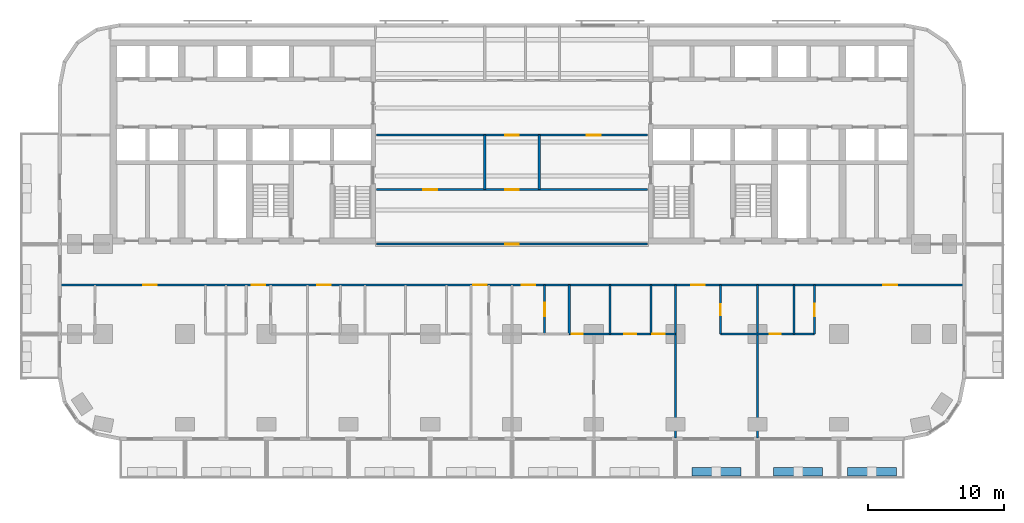
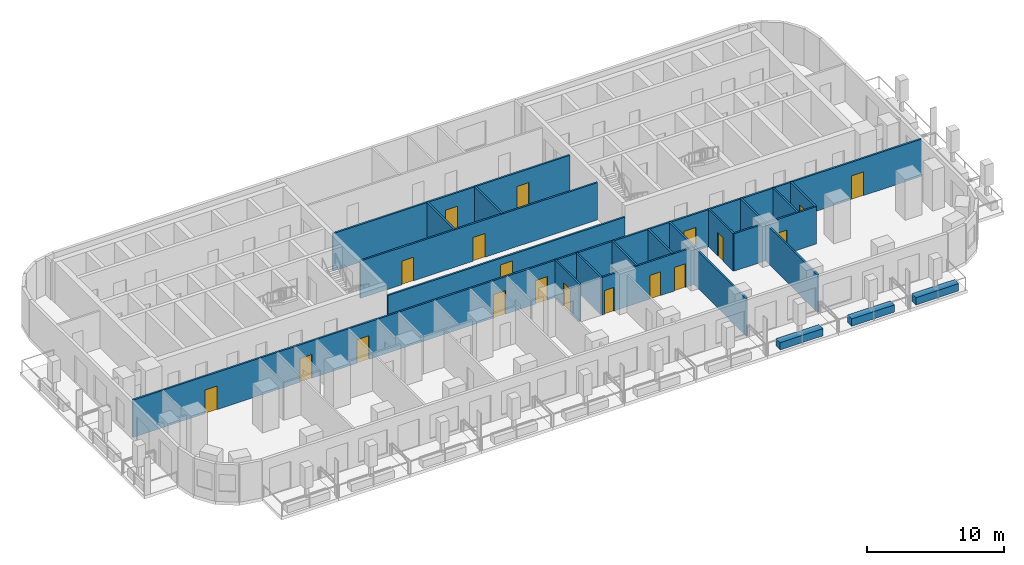
# One storey, part 6 of 14: 20 walls, 19 doors, 19 openings.
"""IFC4 building model written with IfcOpenShell, lengths in metres."""

import ifcopenshell
import ifcopenshell.guid

model = None  # the IFC model being written
_history = None  # IfcOwnerHistory: only IFC2X3 demands one
_inside = {}  # id of a spatial element -> (the spatial element, [elements in it])
_under = {}  # id of a project, library or spatial element -> (it, [spatial elements below it])
_declared = {}  # id of a project -> (the project, [libraries it declares])
_typed = {}  # id of a type object -> (the type object, [elements of that type])
_made_of = {}  # id of a material, layer set ... -> (it, [elements and type objects made of it])


def new_model(schema):
    """Start an empty IFC model of exactly this schema.

    Asked for "IFC4X3", IfcOpenShell would pick the latest addendum, in which some entities
    have other attributes; the version numbers below select the first issue.
    IFC2X3 requires an IfcOwnerHistory on every rooted entity: one is made here for all.
    """
    global model, _history
    if schema == "IFC4X3":
        model = ifcopenshell.file(schema_version=(4, 3, 0, 0))
    else:
        model = ifcopenshell.file(schema=schema)
    _inside.clear()
    _under.clear()
    _declared.clear()
    _typed.clear()
    _made_of.clear()
    _history = None
    if model.schema == "IFC2X3":
        org = make("IfcOrganization", Name="unknown")
        user = make(
            "IfcPersonAndOrganization",
            ThePerson=make("IfcPerson", FamilyName="unknown"),
            TheOrganization=org,
        )
        app = make(
            "IfcApplication",
            ApplicationDeveloper=org,
            Version="unknown",
            ApplicationFullName="unknown",
            ApplicationIdentifier="unknown",
        )
        _history = make(
            "IfcOwnerHistory",
            OwningUser=user,
            OwningApplication=app,
            ChangeAction="ADDED",
            CreationDate=0,
        )
    return model


def make(cls, **values):
    """One entity of the class cls with the attributes given. An attribute that is None is left unset."""
    return model.create_entity(
        cls, **{name: value for name, value in values.items() if value is not None}
    )


def rooted(cls, **values):
    """An entity with a GlobalId (a new one), such as an element, a storey or a relation."""
    return make(cls, GlobalId=ifcopenshell.guid.new(), OwnerHistory=_history, **values)


def si_unit(unit_type, name, prefix=None):
    """IfcSIUnit, for example si_unit("LENGTHUNIT", "METRE", prefix="MILLI")."""
    return make("IfcSIUnit", UnitType=unit_type, Prefix=prefix, Name=name)


def assignment(units):
    """IfcUnitAssignment: the units of a project."""
    return None if units is None else make("IfcUnitAssignment", Units=units)


def point(xyz):
    """IfcCartesianPoint."""
    return None if xyz is None else make("IfcCartesianPoint", Coordinates=xyz)


def direction(xyz):
    """IfcDirection."""
    return None if xyz is None else make("IfcDirection", DirectionRatios=xyz)


def frame(location, z_axis=None, x_axis=None):
    """IfcAxis2Placement3D, a coordinate frame: its origin and axes. An axis left out is left unset."""
    return make(
        "IfcAxis2Placement3D",
        Location=point(location),
        Axis=direction(z_axis),
        RefDirection=direction(x_axis),
    )


def frame_2d(location, x_axis=None):
    """IfcAxis2Placement2D, a coordinate frame in the plane: its origin and x axis."""
    return make(
        "IfcAxis2Placement2D", Location=point(location), RefDirection=direction(x_axis)
    )


def origin():
    """The frame at (0, 0, 0) with its axes left unset."""
    return frame((0.0, 0.0, 0.0))


def place(relative_to, where):
    """IfcLocalPlacement: puts the frame where relative to a parent placement (None: the world)."""
    return make(
        "IfcLocalPlacement", PlacementRelTo=relative_to, RelativePlacement=where
    )


def context(
    kind, dimensions, precision=None, world=None, true_north=None, identifier=None
):
    """IfcGeometricRepresentationContext, for example the 3D "Model" context."""
    return make(
        "IfcGeometricRepresentationContext",
        ContextIdentifier=identifier,
        ContextType=kind,
        CoordinateSpaceDimension=dimensions,
        Precision=precision,
        WorldCoordinateSystem=world,
        TrueNorth=true_north,
    )


def subcontext(parent, identifier, kind, view, scale=None):
    """IfcGeometricRepresentationSubContext, for example "Body" below "Model"."""
    return make(
        "IfcGeometricRepresentationSubContext",
        ContextIdentifier=identifier,
        ContextType=kind,
        ParentContext=parent,
        TargetScale=scale,
        TargetView=view,
    )


def project(units=None, contexts=None):
    """IfcProject with its units and contexts."""
    return rooted(
        "IfcProject",
        Name="project",
        RepresentationContexts=contexts,
        UnitsInContext=assignment(units),
    )


def spatial(cls, under=None, at=None, **own):
    """A site, building, storey or space (cls), placed at a placement, below another one or the project."""
    s = rooted(cls, ObjectPlacement=at, **own)
    if under is not None:
        _under.setdefault(under.id(), (under, []))[1].append(s)
    return s


def profile(cls, at=None, kind="AREA", **sizes):
    """A parametric profile (cls). Its sizes go by their IFC names, for example OverallWidth=200.0."""
    return make(cls, ProfileType=kind, Position=at, **sizes)


def rectangle(**sizes):
    """IfcRectangleProfileDef."""
    return profile("IfcRectangleProfileDef", **sizes)


def extrude(swept, where, along, depth):
    """IfcExtrudedAreaSolid: the profile swept, set in the frame where, extruded along a direction by depth."""
    return make(
        "IfcExtrudedAreaSolid",
        SweptArea=swept,
        Position=where,
        ExtrudedDirection=direction(along),
        Depth=depth,
    )


def shape(context_of_items, identifier, shape_type, items):
    """IfcShapeRepresentation: the items that make up one representation, for example the "Body"."""
    return make(
        "IfcShapeRepresentation",
        ContextOfItems=context_of_items,
        RepresentationIdentifier=identifier,
        RepresentationType=shape_type,
        Items=items,
    )


def material(Name=None, Category=None):
    """IfcMaterial."""
    return make("IfcMaterial", Name=Name, Category=Category)


def layer(
    of_material, thickness, ventilated=None, Name=None, Category=None, Priority=None
):
    """IfcMaterialLayer: one layer of a wall or slab, of a material (None: an air gap)."""
    return make(
        "IfcMaterialLayer",
        Material=of_material,
        LayerThickness=thickness,
        IsVentilated=ventilated,
        Name=Name,
        Category=Category,
        Priority=Priority,
    )


def layer_set(layers, Name=None):
    """IfcMaterialLayerSet."""
    return make("IfcMaterialLayerSet", MaterialLayers=layers, LayerSetName=Name)


def made_of(thing, what):
    """Note that an element or type object is made of a material, layer set ...; save() writes the relation."""
    if what is not None:
        _made_of.setdefault(what.id(), (what, []))[1].append(thing)
    return thing


def type_object(cls, material=None, **own):
    """A type object (cls), such as IfcWallType, which elements share."""
    return made_of(rooted(cls, **own), material)


def element(
    cls,
    number,
    at=None,
    inside=None,
    cuts=None,
    type_object=None,
    material=None,
    context=None,
    identifier="Body",
    shape_type=None,
    held_by="IfcProductDefinitionShape",
    body=None,
    shapes=None,
    **own,
):
    """One element of the class cls, such as IfcWall. Its Tag is "e" and its number.

    at: its placement. inside: the storey or other place that contains it. cuts: it is an
    opening in that element (IfcRelVoidsElement). A single representation is given by context,
    identifier, shape_type and body (its items); several are given by shapes. held_by: the class
    of the entity that holds the representations. save() writes the other relations.
    """
    e = rooted(cls, Tag="e%d" % number, ObjectPlacement=at, **own)
    if body is not None:
        shapes = [shape(context, identifier, shape_type, body)]
    if shapes is not None:
        e.Representation = make(held_by, Representations=shapes)
    if inside is not None:
        _inside.setdefault(inside.id(), (inside, []))[1].append(e)
    if cuts is not None:
        rooted(
            "IfcRelVoidsElement", RelatingBuildingElement=cuts, RelatedOpeningElement=e
        )
    if type_object is not None:
        _typed.setdefault(type_object.id(), (type_object, []))[1].append(e)
    return made_of(e, material)


def fill(opening, filler):
    """IfcRelFillsElement: the door or window that sits in an opening."""
    return rooted(
        "IfcRelFillsElement",
        RelatingOpeningElement=opening,
        RelatedBuildingElement=filler,
    )


def aggregate(whole, parts):
    """IfcRelAggregates: a whole, such as a stair, and the parts it consists of."""
    return rooted("IfcRelAggregates", RelatingObject=whole, RelatedObjects=parts)


def save(model, path):
    """Write the relations noted so far, then the file.

    IfcRelAggregates (storeys below a building ...), IfcRelContainedInSpatialStructure (elements
    in a storey), IfcRelDefinesByType, IfcRelAssociatesMaterial and IfcRelDeclares: one each for
    every whole, place, type object, material and project.
    """
    for whole, parts in _under.values():
        aggregate(whole, parts)
    for where, things in _inside.values():
        rooted(
            "IfcRelContainedInSpatialStructure",
            RelatedElements=things,
            RelatingStructure=where,
        )
    for kind, things in _typed.values():
        rooted("IfcRelDefinesByType", RelatedObjects=things, RelatingType=kind)
    for what, things in _made_of.values():
        rooted("IfcRelAssociatesMaterial", RelatedObjects=things, RelatingMaterial=what)
    for by, libraries in _declared.values():
        rooted("IfcRelDeclares", RelatingContext=by, RelatedDefinitions=libraries)
    model.write(path)


model = new_model("IFC4")

# Units and contexts
model_context = context("Model", 3, precision=1e-05, world=origin(), true_north=direction((0.0, 1.0)))
body_context = subcontext(model_context, "Body", "Model", "MODEL_VIEW")
ifc_project = project(units=[si_unit("LENGTHUNIT", "METRE"), si_unit("AREAUNIT", "SQUARE_METRE"), si_unit("VOLUMEUNIT", "CUBIC_METRE"), si_unit("PLANEANGLEUNIT", "RADIAN"), si_unit("MASSUNIT", "GRAM", prefix="KILO")], contexts=[model_context])

# Site, building, storey
site_placement = place(None, origin())
site = spatial("IfcSite", under=ifc_project, at=site_placement, CompositionType="ELEMENT")
building_placement = place(site_placement, origin())
building = spatial("IfcBuilding", under=site, at=building_placement, Name="Torana Hotel and Residences", CompositionType="ELEMENT")
storey_placement = place(building_placement, frame((0.0, 0.0, 99.60009765625)))
storey = spatial("IfcBuildingStorey", under=building, at=storey_placement, Name="L25", CompositionType="ELEMENT", Elevation=99.60009765625)

# Wall, opening, door
ifc_material_1 = material(Name="Gypsum plaster")
ifc_layer_1 = layer(ifc_material_1, 0.014892578125, Name="Plaster", Category="finish")
ifc_material_2 = material(Name="Concrete blockwork", Category="masonry")
ifc_layer_2 = layer(ifc_material_2, 0.1201171875, Name="Blockwork", Category="structure")
ifc_layer_3 = layer(ifc_material_1, 0.014892578125, Name="Plaster", Category="finish")
ifc_layer_set_1 = layer_set([ifc_layer_1, ifc_layer_2, ifc_layer_3], Name="FIRE PARTITION 150 BLOCKWORK")
wall_type_1 = type_object("IfcWallType", Name="FIRE PARTITION 150 BLOCKWORK", PredefinedType="PARTITIONING", material=ifc_layer_set_1)
wall_1_placement = place(storey_placement, frame((2.39990234375, -21.60009765625, 0.0), z_axis=(0.0, 0.0, 1.0), x_axis=(0.0, 1.0, 0.0)))
wall_1 = element("IfcWall", 1, at=wall_1_placement, inside=storey, type_object=wall_type_1, Name="Partition L25", PredefinedType="PARTITIONING", context=body_context, shape_type="SweptSolid", body=[
    extrude(rectangle(XDim=3.60009765625, YDim=0.14990234375, at=frame_2d((1.800048828125, 0.0))), origin(), (0.0, 0.0, 1.0), 3.31982421875),
])
opening_1_placement = place(wall_1_placement, frame((1.300048828125, 0.0, 0.0)))
opening_1 = element("IfcOpeningElement", 2, at=opening_1_placement, cuts=wall_1, Name="Opening L25-60", PredefinedType="OPENING", context=body_context, shape_type="SweptSolid", body=[
    extrude(rectangle(XDim=1.0, YDim=2.10009765625, at=frame_2d((0.5, 1.050048828125))), frame((0.0, 0.0849609375, 0.0), z_axis=(0.0, -1.0, 0.0), x_axis=(1.0, 0.0, 0.0)), (0.0, 0.0, 1.0), 0.169921875),
])
ifc_material_3 = material(Name="Steel S235", Category="steel")
door_type_1 = type_object("IfcDoorType", Name="ENTRY FIRE DOOR D6 1000x2100", OperationType="SINGLE_SWING_LEFT", PredefinedType="DOOR", material=ifc_material_3)
door_1_placement = place(opening_1_placement, frame((0.5, 0.0, 0.0), z_axis=(0.0, 0.0, 1.0), x_axis=(-1.0, 0.0, 0.0)))
door_1 = element("IfcDoor", 3, at=door_1_placement, inside=storey, type_object=door_type_1, Name="Door L25", OperationType="SINGLE_SWING_LEFT", OverallHeight=2.10009765625, OverallWidth=1.0, PredefinedType="DOOR", context=body_context, shape_type="SweptSolid", body=[
    extrude(rectangle(XDim=1.0, YDim=2.10009765625, at=frame_2d((0.0, 1.050048828125))), frame((0.0, -0.02490234375, 0.0), z_axis=(0.0, 1.0, 0.0), x_axis=(-1.0, 0.0, 0.0)), (0.0, 0.0, 1.0), 0.050048828125),
])
fill(opening_1, door_1)

# Walls
for number, where, z_axis, x_axis, name in (
    (4, (2.0, -11.0, 0.0), (0.0, 0.0, 1.0), (0.0, 1.0, 0.0), "Partition L25"),
    (5, (-2.0, -11.0, 0.0), (0.0, 0.0, 1.0), (0.0, 1.0, 0.0), "Partition L25"),
):
    element("IfcWall", number, at=place(storey_placement, frame(where, z_axis=z_axis, x_axis=x_axis)), inside=storey, type_object=wall_type_1, Name=name, PredefinedType="PARTITIONING", context=body_context, shape_type="SweptSolid", body=[
        extrude(rectangle(XDim=4.0, YDim=0.14990234375, at=frame_2d((2.0, 0.0))), origin(), (0.0, 0.0, 1.0), 3.31982421875),
    ])

# Wall, openings, doors
wall_2_placement = place(storey_placement, frame((-33.1201171875, -18.0, 0.0), z_axis=(0.0, 0.0, 1.0), x_axis=(1.0, 0.0, 0.0)))
wall_2 = element("IfcWall", 6, at=wall_2_placement, inside=storey, type_object=wall_type_1, Name="Partition L25", PredefinedType="PARTITIONING", context=body_context, shape_type="SweptSolid", body=[
    extrude(rectangle(XDim=66.240234375, YDim=0.14990234375, at=frame_2d((33.1201171875, 0.0))), origin(), (0.0, 0.0, 1.0), 3.31982421875),
])
opening_2_placement = place(wall_2_placement, frame((14.02001953125, 0.0, 0.0)))
opening_2 = element("IfcOpeningElement", 7, at=opening_2_placement, cuts=wall_2, Name="Opening L25-34", PredefinedType="OPENING", context=body_context, shape_type="SweptSolid", body=[
    extrude(rectangle(XDim=1.0, YDim=2.10009765625, at=frame_2d((0.5, 1.050048828125))), frame((0.0, 0.0849609375, 0.0), z_axis=(0.0, -1.0, 0.0), x_axis=(1.0, 0.0, 0.0)), (0.0, 0.0, 1.0), 0.169921875),
])
opening_3_placement = place(wall_2_placement, frame((18.820068359375, 0.0, 0.0)))
opening_3 = element("IfcOpeningElement", 8, at=opening_3_placement, cuts=wall_2, Name="Opening L25-35", PredefinedType="OPENING", context=body_context, shape_type="SweptSolid", body=[
    extrude(rectangle(XDim=1.0, YDim=2.10009765625, at=frame_2d((0.5, 1.050048828125))), frame((0.0, 0.0849609375, 0.0), z_axis=(0.0, -1.0, 0.0), x_axis=(1.0, 0.0, 0.0)), (0.0, 0.0, 1.0), 0.169921875),
])
opening_4_placement = place(wall_2_placement, frame((30.27001953125, 0.0, 0.0)))
opening_4 = element("IfcOpeningElement", 9, at=opening_4_placement, cuts=wall_2, Name="Opening L25-36", PredefinedType="OPENING", context=body_context, shape_type="SweptSolid", body=[
    extrude(rectangle(XDim=1.0, YDim=2.10009765625, at=frame_2d((0.5, 1.050048828125))), frame((0.0, 0.0849609375, 0.0), z_axis=(0.0, -1.0, 0.0), x_axis=(1.0, 0.0, 0.0)), (0.0, 0.0, 1.0), 0.169921875),
])
opening_5_placement = place(wall_2_placement, frame((33.820068359375, 0.0, 0.0)))
opening_5 = element("IfcOpeningElement", 10, at=opening_5_placement, cuts=wall_2, Name="Opening L25-37", PredefinedType="OPENING", context=body_context, shape_type="SweptSolid", body=[
    extrude(rectangle(XDim=1.0, YDim=2.10009765625, at=frame_2d((0.5, 1.050048828125))), frame((0.0, 0.0849609375, 0.0), z_axis=(0.0, -1.0, 0.0), x_axis=(1.0, 0.0, 0.0)), (0.0, 0.0, 1.0), 0.169921875),
])
opening_6_placement = place(wall_2_placement, frame((46.27001953125, 0.0, 0.0)))
opening_6 = element("IfcOpeningElement", 11, at=opening_6_placement, cuts=wall_2, Name="Opening L25-38", PredefinedType="OPENING", context=body_context, shape_type="SweptSolid", body=[
    extrude(rectangle(XDim=1.0, YDim=2.10009765625, at=frame_2d((0.5, 1.050048828125))), frame((0.0, 0.0849609375, 0.0), z_axis=(0.0, -1.0, 0.0), x_axis=(1.0, 0.0, 0.0)), (0.0, 0.0, 1.0), 0.169921875),
])
opening_7_placement = place(wall_2_placement, frame((6.070068359375, 0.0, 0.0)))
opening_7 = element("IfcOpeningElement", 12, at=opening_7_placement, cuts=wall_2, Name="Opening L25-39", PredefinedType="OPENING", context=body_context, shape_type="SweptSolid", body=[
    extrude(rectangle(XDim=1.0, YDim=2.10009765625, at=frame_2d((0.5, 1.050048828125))), frame((0.0, 0.0849609375, 0.0), z_axis=(0.0, -1.0, 0.0), x_axis=(1.0, 0.0, 0.0)), (0.0, 0.0, 1.0), 0.169921875),
])
opening_8_placement = place(wall_2_placement, frame((60.3701171875, 0.0, 0.0)))
opening_8 = element("IfcOpeningElement", 13, at=opening_8_placement, cuts=wall_2, Name="Opening L25-40", PredefinedType="OPENING", context=body_context, shape_type="SweptSolid", body=[
    extrude(rectangle(XDim=1.0, YDim=2.10009765625, at=frame_2d((0.5, 1.050048828125))), frame((0.0, 0.0849609375, 0.0), z_axis=(0.0, -1.0, 0.0), x_axis=(1.0, 0.0, 0.0)), (0.0, 0.0, 1.0), 0.169921875),
])
door_2_placement = place(opening_2_placement, frame((0.5, 0.0, 0.0), z_axis=(0.0, 0.0, 1.0), x_axis=(-1.0, 0.0, 0.0)))
door_2 = element("IfcDoor", 14, at=door_2_placement, inside=storey, type_object=door_type_1, Name="Door L25", OperationType="SINGLE_SWING_LEFT", OverallHeight=2.10009765625, OverallWidth=1.0, PredefinedType="DOOR", context=body_context, shape_type="SweptSolid", body=[
    extrude(rectangle(XDim=1.0, YDim=2.10009765625, at=frame_2d((0.0, 1.050048828125))), frame((0.0, -0.02490234375, 0.0), z_axis=(0.0, 1.0, 0.0), x_axis=(-1.0, 0.0, 0.0)), (0.0, 0.0, 1.0), 0.050048828125),
])
fill(opening_2, door_2)
door_3_placement = place(opening_3_placement, origin())
door_3 = element("IfcDoor", 15, at=door_3_placement, inside=storey, type_object=door_type_1, Name="Door L25", OperationType="SINGLE_SWING_RIGHT", OverallHeight=2.10009765625, OverallWidth=1.0, PredefinedType="DOOR", context=body_context, shape_type="SweptSolid", body=[
    extrude(rectangle(XDim=1.0, YDim=2.10009765625, at=frame_2d((0.5, 1.050048828125))), frame((0.0, 0.02490234375, 0.0), z_axis=(0.0, -1.0, 0.0), x_axis=(1.0, 0.0, 0.0)), (0.0, 0.0, 1.0), 0.050048828125),
])
fill(opening_3, door_3)
door_4_placement = place(opening_4_placement, frame((0.5, 0.0, 0.0), z_axis=(0.0, 0.0, 1.0), x_axis=(-1.0, 0.0, 0.0)))
door_4 = element("IfcDoor", 16, at=door_4_placement, inside=storey, type_object=door_type_1, Name="Door L25", OperationType="SINGLE_SWING_LEFT", OverallHeight=2.10009765625, OverallWidth=1.0, PredefinedType="DOOR", context=body_context, shape_type="SweptSolid", body=[
    extrude(rectangle(XDim=1.0, YDim=2.10009765625, at=frame_2d((0.0, 1.050048828125))), frame((0.0, -0.02490234375, 0.0), z_axis=(0.0, 1.0, 0.0), x_axis=(-1.0, 0.0, 0.0)), (0.0, 0.0, 1.0), 0.050048828125),
])
fill(opening_4, door_4)
door_5_placement = place(opening_5_placement, origin())
door_5 = element("IfcDoor", 17, at=door_5_placement, inside=storey, type_object=door_type_1, Name="Door L25", OperationType="SINGLE_SWING_RIGHT", OverallHeight=2.10009765625, OverallWidth=1.0, PredefinedType="DOOR", context=body_context, shape_type="SweptSolid", body=[
    extrude(rectangle(XDim=1.0, YDim=2.10009765625, at=frame_2d((0.5, 1.050048828125))), frame((0.0, 0.02490234375, 0.0), z_axis=(0.0, -1.0, 0.0), x_axis=(1.0, 0.0, 0.0)), (0.0, 0.0, 1.0), 0.050048828125),
])
fill(opening_5, door_5)
door_6_placement = place(opening_6_placement, frame((0.5, 0.0, 0.0), z_axis=(0.0, 0.0, 1.0), x_axis=(-1.0, 0.0, 0.0)))
door_6 = element("IfcDoor", 18, at=door_6_placement, inside=storey, type_object=door_type_1, Name="Door L25", OperationType="SINGLE_SWING_LEFT", OverallHeight=2.10009765625, OverallWidth=1.0, PredefinedType="DOOR", context=body_context, shape_type="SweptSolid", body=[
    extrude(rectangle(XDim=1.0, YDim=2.10009765625, at=frame_2d((0.0, 1.050048828125))), frame((0.0, -0.02490234375, 0.0), z_axis=(0.0, 1.0, 0.0), x_axis=(-1.0, 0.0, 0.0)), (0.0, 0.0, 1.0), 0.050048828125),
])
fill(opening_6, door_6)
door_7_placement = place(opening_7_placement, frame((0.5, 0.0, 0.0), z_axis=(0.0, 0.0, 1.0), x_axis=(-1.0, 0.0, 0.0)))
door_7 = element("IfcDoor", 19, at=door_7_placement, inside=storey, type_object=door_type_1, Name="Door L25", OperationType="SINGLE_SWING_LEFT", OverallHeight=2.10009765625, OverallWidth=1.0, PredefinedType="DOOR", context=body_context, shape_type="SweptSolid", body=[
    extrude(rectangle(XDim=1.0, YDim=2.10009765625, at=frame_2d((0.0, 1.050048828125))), frame((0.0, -0.02490234375, 0.0), z_axis=(0.0, 1.0, 0.0), x_axis=(-1.0, 0.0, 0.0)), (0.0, 0.0, 1.0), 0.050048828125),
])
fill(opening_7, door_7)
door_8_placement = place(opening_8_placement, frame((0.5, 0.0, 0.0), z_axis=(0.0, 0.0, 1.0), x_axis=(-1.0, 0.0, 0.0)))
door_8 = element("IfcDoor", 20, at=door_8_placement, inside=storey, type_object=door_type_1, Name="Door L25", OperationType="SINGLE_SWING_LEFT", OverallHeight=2.10009765625, OverallWidth=1.0, PredefinedType="DOOR", context=body_context, shape_type="SweptSolid", body=[
    extrude(rectangle(XDim=1.0, YDim=2.10009765625, at=frame_2d((0.0, 1.050048828125))), frame((0.0, -0.02490234375, 0.0), z_axis=(0.0, 1.0, 0.0), x_axis=(-1.0, 0.0, 0.0)), (0.0, 0.0, 1.0), 0.050048828125),
])
fill(opening_8, door_8)

# Wall, opening, door
wall_3_placement = place(storey_placement, frame((-9.949951171875, -15.0, 0.0), z_axis=(0.0, 0.0, 1.0), x_axis=(1.0, 0.0, 0.0)))
wall_3 = element("IfcWall", 21, at=wall_3_placement, inside=storey, type_object=wall_type_1, Name="Partition L25", PredefinedType="PARTITIONING", context=body_context, shape_type="SweptSolid", body=[
    extrude(rectangle(XDim=19.89990234375, YDim=0.14990234375, at=frame_2d((9.949951171875, 0.0))), origin(), (0.0, 0.0, 1.0), 2.683837890625),
])
opening_9_placement = place(wall_3_placement, frame((9.449951171875, 0.0, 0.0)))
opening_9 = element("IfcOpeningElement", 22, at=opening_9_placement, cuts=wall_3, Name="Opening L25-33", PredefinedType="OPENING", context=body_context, shape_type="SweptSolid", body=[
    extrude(rectangle(XDim=1.0, YDim=2.10009765625, at=frame_2d((0.5, 1.050048828125))), frame((0.0, 0.0849609375, 0.0), z_axis=(0.0, -1.0, 0.0), x_axis=(1.0, 0.0, 0.0)), (0.0, 0.0, 1.0), 0.169921875),
])
door_9_placement = place(opening_9_placement, origin())
door_9 = element("IfcDoor", 23, at=door_9_placement, inside=storey, type_object=door_type_1, Name="Door L25", OperationType="SINGLE_SWING_RIGHT", OverallHeight=2.10009765625, OverallWidth=1.0, PredefinedType="DOOR", context=body_context, shape_type="SweptSolid", body=[
    extrude(rectangle(XDim=1.0, YDim=2.10009765625, at=frame_2d((0.5, 1.050048828125))), frame((0.0, 0.02490234375, 0.0), z_axis=(0.0, -1.0, 0.0), x_axis=(1.0, 0.0, 0.0)), (0.0, 0.0, 1.0), 0.050048828125),
])
fill(opening_9, door_9)

# Wall, openings, doors
wall_4_placement = place(storey_placement, frame((-9.949951171875, -11.0, 0.0), z_axis=(0.0, 0.0, 1.0), x_axis=(1.0, 0.0, 0.0)))
wall_4 = element("IfcWall", 24, at=wall_4_placement, inside=storey, type_object=wall_type_1, Name="Partition L25", PredefinedType="PARTITIONING", context=body_context, shape_type="SweptSolid", body=[
    extrude(rectangle(XDim=19.89990234375, YDim=0.14990234375, at=frame_2d((9.949951171875, 0.0))), origin(), (0.0, 0.0, 1.0), 3.31982421875),
])
opening_10_placement = place(wall_4_placement, frame((9.449951171875, 0.0, 0.0)))
opening_10 = element("IfcOpeningElement", 25, at=opening_10_placement, cuts=wall_4, Name="Opening L25-43", PredefinedType="OPENING", context=body_context, shape_type="SweptSolid", body=[
    extrude(rectangle(XDim=1.0, YDim=2.10009765625, at=frame_2d((0.5, 1.050048828125))), frame((0.0, 0.0849609375, 0.0), z_axis=(0.0, -1.0, 0.0), x_axis=(1.0, 0.0, 0.0)), (0.0, 0.0, 1.0), 0.169921875),
])
opening_11_placement = place(wall_4_placement, frame((3.449951171875, 0.0, 0.0)))
opening_11 = element("IfcOpeningElement", 26, at=opening_11_placement, cuts=wall_4, Name="Opening L25-44", PredefinedType="OPENING", context=body_context, shape_type="SweptSolid", body=[
    extrude(rectangle(XDim=1.0, YDim=2.10009765625, at=frame_2d((0.5, 1.050048828125))), frame((0.0, 0.0849609375, 0.0), z_axis=(0.0, -1.0, 0.0), x_axis=(1.0, 0.0, 0.0)), (0.0, 0.0, 1.0), 0.169921875),
])
door_10_placement = place(opening_10_placement, origin())
door_10 = element("IfcDoor", 27, at=door_10_placement, inside=storey, type_object=door_type_1, Name="Door L25", OperationType="SINGLE_SWING_RIGHT", OverallHeight=2.10009765625, OverallWidth=1.0, PredefinedType="DOOR", context=body_context, shape_type="SweptSolid", body=[
    extrude(rectangle(XDim=1.0, YDim=2.10009765625, at=frame_2d((0.5, 1.050048828125))), frame((0.0, 0.02490234375, 0.0), z_axis=(0.0, -1.0, 0.0), x_axis=(1.0, 0.0, 0.0)), (0.0, 0.0, 1.0), 0.050048828125),
])
fill(opening_10, door_10)
door_11_placement = place(opening_11_placement, origin())
door_11 = element("IfcDoor", 28, at=door_11_placement, inside=storey, type_object=door_type_1, Name="Door L25", OperationType="SINGLE_SWING_RIGHT", OverallHeight=2.10009765625, OverallWidth=1.0, PredefinedType="DOOR", context=body_context, shape_type="SweptSolid", body=[
    extrude(rectangle(XDim=1.0, YDim=2.10009765625, at=frame_2d((0.5, 1.050048828125))), frame((0.0, 0.02490234375, 0.0), z_axis=(0.0, -1.0, 0.0), x_axis=(1.0, 0.0, 0.0)), (0.0, 0.0, 1.0), 0.050048828125),
])
fill(opening_11, door_11)

wall_5_placement = place(storey_placement, frame((-9.949951171875, -7.0, 0.0), z_axis=(0.0, 0.0, 1.0), x_axis=(1.0, 0.0, 0.0)))
wall_5 = element("IfcWall", 29, at=wall_5_placement, inside=storey, type_object=wall_type_1, Name="Partition L25", PredefinedType="PARTITIONING", context=body_context, shape_type="SweptSolid", body=[
    extrude(rectangle(XDim=19.89990234375, YDim=0.14990234375, at=frame_2d((9.949951171875, 0.0))), origin(), (0.0, 0.0, 1.0), 3.31982421875),
])
opening_12_placement = place(wall_5_placement, frame((9.449951171875, 0.0, 0.0)))
opening_12 = element("IfcOpeningElement", 30, at=opening_12_placement, cuts=wall_5, Name="Opening L25-45", PredefinedType="OPENING", context=body_context, shape_type="SweptSolid", body=[
    extrude(rectangle(XDim=1.0, YDim=2.10009765625, at=frame_2d((0.5, 1.050048828125))), frame((0.0, 0.0849609375, 0.0), z_axis=(0.0, -1.0, 0.0), x_axis=(1.0, 0.0, 0.0)), (0.0, 0.0, 1.0), 0.169921875),
])
opening_13_placement = place(wall_5_placement, frame((15.449951171875, 0.0, 0.0)))
opening_13 = element("IfcOpeningElement", 31, at=opening_13_placement, cuts=wall_5, Name="Opening L25-46", PredefinedType="OPENING", context=body_context, shape_type="SweptSolid", body=[
    extrude(rectangle(XDim=1.0, YDim=2.10009765625, at=frame_2d((0.5, 1.050048828125))), frame((0.0, 0.0849609375, 0.0), z_axis=(0.0, -1.0, 0.0), x_axis=(1.0, 0.0, 0.0)), (0.0, 0.0, 1.0), 0.169921875),
])
door_12_placement = place(opening_12_placement, origin())
door_12 = element("IfcDoor", 32, at=door_12_placement, inside=storey, type_object=door_type_1, Name="Door L25", OperationType="SINGLE_SWING_RIGHT", OverallHeight=2.10009765625, OverallWidth=1.0, PredefinedType="DOOR", context=body_context, shape_type="SweptSolid", body=[
    extrude(rectangle(XDim=1.0, YDim=2.10009765625, at=frame_2d((0.5, 1.050048828125))), frame((0.0, 0.02490234375, 0.0), z_axis=(0.0, -1.0, 0.0), x_axis=(1.0, 0.0, 0.0)), (0.0, 0.0, 1.0), 0.050048828125),
])
fill(opening_12, door_12)
door_13_placement = place(opening_13_placement, frame((0.5, 0.0, 0.0), z_axis=(0.0, 0.0, 1.0), x_axis=(-1.0, 0.0, 0.0)))
door_13 = element("IfcDoor", 33, at=door_13_placement, inside=storey, type_object=door_type_1, Name="Door L25", OperationType="SINGLE_SWING_LEFT", OverallHeight=2.10009765625, OverallWidth=1.0, PredefinedType="DOOR", context=body_context, shape_type="SweptSolid", body=[
    extrude(rectangle(XDim=1.0, YDim=2.10009765625, at=frame_2d((0.0, 1.050048828125))), frame((0.0, -0.02490234375, 0.0), z_axis=(0.0, 1.0, 0.0), x_axis=(-1.0, 0.0, 0.0)), (0.0, 0.0, 1.0), 0.050048828125),
])
fill(opening_13, door_13)

# Wall, opening, door
ifc_material_4 = material(Name="Gypsum plasterboard")
ifc_layer_4 = layer(ifc_material_4, 0.012451171875, Name="Plasterboard", Category="finish")
ifc_layer_5 = layer(ifc_material_4, 0.012451171875, Name="Plasterboard", Category="finish")
ifc_material_5 = material(Name="Steel S280GD", Category="steel")
ifc_layer_6 = layer(ifc_material_5, 0.10009765625, Name="Steel studs with mineral wool", Category="insulation")
ifc_layer_7 = layer(ifc_material_4, 0.012451171875, Name="Plasterboard", Category="finish")
ifc_layer_8 = layer(ifc_material_4, 0.012451171875, Name="Plasterboard", Category="finish")
ifc_layer_set_2 = layer_set([ifc_layer_4, ifc_layer_5, ifc_layer_6, ifc_layer_7, ifc_layer_8], Name="PARTITION 150 PLASTERBOARD")
wall_type_2 = type_object("IfcWallType", Name="PARTITION 150 PLASTERBOARD", PredefinedType="PARTITIONING", material=ifc_layer_set_2)
wall_6_placement = place(storey_placement, frame((22.199951171875, -21.60009765625, 0.0), z_axis=(0.0, 0.0, 1.0), x_axis=(0.0, 1.0, 0.0)))
wall_6 = element("IfcWall", 34, at=wall_6_placement, inside=storey, type_object=wall_type_2, Name="Partition L25", PredefinedType="PARTITIONING", context=body_context, shape_type="SweptSolid", body=[
    extrude(rectangle(XDim=3.60009765625, YDim=0.14990234375, at=frame_2d((1.800048828125, 0.0))), origin(), (0.0, 0.0, 1.0), 3.31982421875),
])
opening_14_placement = place(wall_6_placement, frame((1.330078125, 0.0, 0.0)))
opening_14 = element("IfcOpeningElement", 35, at=opening_14_placement, cuts=wall_6, Name="Opening L25-70", PredefinedType="OPENING", context=body_context, shape_type="SweptSolid", body=[
    extrude(rectangle(XDim=0.89990234375, YDim=2.10009765625, at=frame_2d((0.449951171875, 1.050048828125))), frame((0.0, 0.0849609375, 0.0), z_axis=(0.0, -1.0, 0.0), x_axis=(1.0, 0.0, 0.0)), (0.0, 0.0, 1.0), 0.169921875),
])
ifc_material_6 = material(Name="Timber door, oiled ash", Category="wood")
door_type_2 = type_object("IfcDoorType", Name="ROOM DOOR D7 900x2100", OperationType="SINGLE_SWING_LEFT", PredefinedType="DOOR", material=ifc_material_6)
door_14_placement = place(opening_14_placement, origin())
door_14 = element("IfcDoor", 36, at=door_14_placement, inside=storey, type_object=door_type_2, Name="Door L25", OperationType="SINGLE_SWING_RIGHT", OverallHeight=2.10009765625, OverallWidth=0.89990234375, PredefinedType="DOOR", context=body_context, shape_type="SweptSolid", body=[
    extrude(rectangle(XDim=0.89990234375, YDim=2.10009765625, at=frame_2d((0.449951171875, 1.050048828125))), frame((0.0, 0.02490234375, 0.0), z_axis=(0.0, -1.0, 0.0), x_axis=(1.0, 0.0, 0.0)), (0.0, 0.0, 1.0), 0.050048828125),
])
fill(opening_14, door_14)

# Walls
wall_7_placement = place(storey_placement, frame((20.699951171875, -21.60009765625, 0.0), z_axis=(0.0, 0.0, 1.0), x_axis=(0.0, 1.0, 0.0)))
element("IfcWall", 37, at=wall_7_placement, inside=storey, type_object=wall_type_2, Name="Partition L25", PredefinedType="PARTITIONING", context=body_context, shape_type="SweptSolid", body=[
    extrude(rectangle(XDim=3.60009765625, YDim=0.14990234375, at=frame_2d((1.800048828125, 0.0))), origin(), (0.0, 0.0, 1.0), 3.31982421875),
])
wall_8_placement = place(storey_placement, frame((18.0, -29.219970703125, 0.0), z_axis=(0.0, 0.0, 1.0), x_axis=(0.0, 1.0, 0.0)))
element("IfcWall", 38, at=wall_8_placement, inside=storey, type_object=wall_type_2, Name="Partition L25", PredefinedType="PARTITIONING", context=body_context, shape_type="SweptSolid", body=[
    extrude(rectangle(XDim=11.219970703125, YDim=0.14990234375, at=frame_2d((5.60986328125, 0.0))), origin(), (0.0, 0.0, 1.0), 3.31982421875),
])

# Wall, opening, door
wall_9_placement = place(storey_placement, frame((15.300048828125, -21.60009765625, 0.0), z_axis=(0.0, 0.0, 1.0), x_axis=(0.0, 1.0, 0.0)))
wall_9 = element("IfcWall", 39, at=wall_9_placement, inside=storey, type_object=wall_type_2, Name="Partition L25", PredefinedType="PARTITIONING", context=body_context, shape_type="SweptSolid", body=[
    extrude(rectangle(XDim=3.60009765625, YDim=0.14990234375, at=frame_2d((1.800048828125, 0.0))), origin(), (0.0, 0.0, 1.0), 3.31982421875),
])
opening_15_placement = place(wall_9_placement, frame((1.39990234375, 0.0, 0.0)))
opening_15 = element("IfcOpeningElement", 40, at=opening_15_placement, cuts=wall_9, Name="Opening L25-66", PredefinedType="OPENING", context=body_context, shape_type="SweptSolid", body=[
    extrude(rectangle(XDim=0.800048828125, YDim=2.10009765625, at=frame_2d((0.39990234375, 1.050048828125))), frame((0.0, 0.0849609375, 0.0), z_axis=(0.0, -1.0, 0.0), x_axis=(1.0, 0.0, 0.0)), (0.0, 0.0, 1.0), 0.169921875),
])
ifc_material_7 = material(Name="Timber door, painted", Category="wood")
door_type_3 = type_object("IfcDoorType", Name="BATH DOOR D13 800x2100", OperationType="SINGLE_SWING_LEFT", PredefinedType="DOOR", material=ifc_material_7)
door_15_placement = place(opening_15_placement, origin())
door_15 = element("IfcDoor", 41, at=door_15_placement, inside=storey, type_object=door_type_3, Name="Door L25", OperationType="SINGLE_SWING_LEFT", OverallHeight=2.10009765625, OverallWidth=0.800048828125, PredefinedType="DOOR", context=body_context, shape_type="SweptSolid", body=[
    extrude(rectangle(XDim=0.800048828125, YDim=2.10009765625, at=frame_2d((0.39990234375, 1.050048828125))), frame((0.0, 0.02490234375, 0.0), z_axis=(0.0, -1.0, 0.0), x_axis=(1.0, 0.0, 0.0)), (0.0, 0.0, 1.0), 0.050048828125),
])
fill(opening_15, door_15)

# Walls
wall_10_placement = place(storey_placement, frame((12.0, -29.219970703125, 0.0), z_axis=(0.0, 0.0, 1.0), x_axis=(0.0, 1.0, 0.0)))
element("IfcWall", 42, at=wall_10_placement, inside=storey, type_object=wall_type_2, Name="Partition L25", PredefinedType="PARTITIONING", context=body_context, shape_type="SweptSolid", body=[
    extrude(rectangle(XDim=11.219970703125, YDim=0.14990234375, at=frame_2d((5.60986328125, 0.0))), origin(), (0.0, 0.0, 1.0), 3.31982421875),
])
for number, where, z_axis, x_axis, name in (
    (43, (10.199951171875, -21.60009765625, 0.0), (0.0, 0.0, 1.0), (0.0, 1.0, 0.0), "Partition L25"),
    (44, (7.199951171875, -21.60009765625, 0.0), (0.0, 0.0, 1.0), (0.0, 1.0, 0.0), "Partition L25"),
):
    element("IfcWall", number, at=place(storey_placement, frame(where, z_axis=z_axis, x_axis=x_axis)), inside=storey, type_object=wall_type_2, Name=name, PredefinedType="PARTITIONING", context=body_context, shape_type="SweptSolid", body=[
        extrude(rectangle(XDim=3.60009765625, YDim=0.14990234375, at=frame_2d((1.800048828125, 0.0))), origin(), (0.0, 0.0, 1.0), 3.31982421875),
    ])

# Wall, openings, doors
wall_11_placement = place(storey_placement, frame((4.199951171875, -21.60009765625, 0.0), z_axis=(0.0, 0.0, 1.0), x_axis=(1.0, 0.0, 0.0)))
wall_11 = element("IfcWall", 45, at=wall_11_placement, inside=storey, type_object=wall_type_2, Name="Partition L25", PredefinedType="PARTITIONING", context=body_context, shape_type="SweptSolid", body=[
    extrude(rectangle(XDim=7.800048828125, YDim=0.14990234375, at=frame_2d((3.89990234375, 0.0))), origin(), (0.0, 0.0, 1.0), 3.31982421875),
])
opening_16_placement = place(wall_11_placement, frame((0.199951171875, 0.0, 0.0)))
opening_16 = element("IfcOpeningElement", 46, at=opening_16_placement, cuts=wall_11, Name="Opening L25-62", PredefinedType="OPENING", context=body_context, shape_type="SweptSolid", body=[
    extrude(rectangle(XDim=0.800048828125, YDim=2.10009765625, at=frame_2d((0.39990234375, 1.050048828125))), frame((0.0, 0.0849609375, 0.0), z_axis=(0.0, -1.0, 0.0), x_axis=(1.0, 0.0, 0.0)), (0.0, 0.0, 1.0), 0.169921875),
])
opening_17_placement = place(wall_11_placement, frame((4.030029296875, 0.0, 0.0)))
opening_17 = element("IfcOpeningElement", 47, at=opening_17_placement, cuts=wall_11, Name="Opening L25-63", PredefinedType="OPENING", context=body_context, shape_type="SweptSolid", body=[
    extrude(rectangle(XDim=0.89990234375, YDim=2.10009765625, at=frame_2d((0.449951171875, 1.050048828125))), frame((0.0, 0.0849609375, 0.0), z_axis=(0.0, -1.0, 0.0), x_axis=(1.0, 0.0, 0.0)), (0.0, 0.0, 1.0), 0.169921875),
])
opening_18_placement = place(wall_11_placement, frame((6.10009765625, 0.0, 0.0)))
opening_18 = element("IfcOpeningElement", 48, at=opening_18_placement, cuts=wall_11, Name="Opening L25-64", PredefinedType="OPENING", context=body_context, shape_type="SweptSolid", body=[
    extrude(rectangle(XDim=0.89990234375, YDim=2.10009765625, at=frame_2d((0.449951171875, 1.050048828125))), frame((0.0, 0.0849609375, 0.0), z_axis=(0.0, -1.0, 0.0), x_axis=(1.0, 0.0, 0.0)), (0.0, 0.0, 1.0), 0.169921875),
])
door_16_placement = place(opening_16_placement, origin())
door_16 = element("IfcDoor", 49, at=door_16_placement, inside=storey, type_object=door_type_3, Name="Door L25", OperationType="SINGLE_SWING_LEFT", OverallHeight=2.10009765625, OverallWidth=0.800048828125, PredefinedType="DOOR", context=body_context, shape_type="SweptSolid", body=[
    extrude(rectangle(XDim=0.800048828125, YDim=2.10009765625, at=frame_2d((0.39990234375, 1.050048828125))), frame((0.0, 0.02490234375, 0.0), z_axis=(0.0, -1.0, 0.0), x_axis=(1.0, 0.0, 0.0)), (0.0, 0.0, 1.0), 0.050048828125),
])
fill(opening_16, door_16)
door_17_placement = place(opening_17_placement, origin())
door_17 = element("IfcDoor", 50, at=door_17_placement, inside=storey, type_object=door_type_2, Name="Door L25", OperationType="SINGLE_SWING_RIGHT", OverallHeight=2.10009765625, OverallWidth=0.89990234375, PredefinedType="DOOR", context=body_context, shape_type="SweptSolid", body=[
    extrude(rectangle(XDim=0.89990234375, YDim=2.10009765625, at=frame_2d((0.449951171875, 1.050048828125))), frame((0.0, 0.02490234375, 0.0), z_axis=(0.0, -1.0, 0.0), x_axis=(1.0, 0.0, 0.0)), (0.0, 0.0, 1.0), 0.050048828125),
])
fill(opening_17, door_17)
door_18_placement = place(opening_18_placement, frame((0.449951171875, 0.0, 0.0), z_axis=(0.0, 0.0, 1.0), x_axis=(-1.0, 0.0, 0.0)))
door_18 = element("IfcDoor", 51, at=door_18_placement, inside=storey, type_object=door_type_2, Name="Door L25", OperationType="SINGLE_SWING_RIGHT", OverallHeight=2.10009765625, OverallWidth=0.89990234375, PredefinedType="DOOR", context=body_context, shape_type="SweptSolid", body=[
    extrude(rectangle(XDim=0.89990234375, YDim=2.10009765625, at=frame_2d((0.0, 1.050048828125))), frame((0.0, -0.02490234375, 0.0), z_axis=(0.0, 1.0, 0.0), x_axis=(-1.0, 0.0, 0.0)), (0.0, 0.0, 1.0), 0.050048828125),
])
fill(opening_18, door_18)

# Wall, opening, door
wall_12_placement = place(storey_placement, frame((15.300048828125, -21.60009765625, 0.0), z_axis=(0.0, 0.0, 1.0), x_axis=(1.0, 0.0, 0.0)))
wall_12 = element("IfcWall", 52, at=wall_12_placement, inside=storey, type_object=wall_type_2, Name="Partition L25", PredefinedType="PARTITIONING", context=body_context, shape_type="SweptSolid", body=[
    extrude(rectangle(XDim=6.89990234375, YDim=0.14990234375, at=frame_2d((3.449951171875, 0.0))), origin(), (0.0, 0.0, 1.0), 3.31982421875),
])
opening_19_placement = place(wall_12_placement, frame((3.6298828125, 0.0, 0.0)))
opening_19 = element("IfcOpeningElement", 53, at=opening_19_placement, cuts=wall_12, Name="Opening L25-69", PredefinedType="OPENING", context=body_context, shape_type="SweptSolid", body=[
    extrude(rectangle(XDim=0.800048828125, YDim=2.10009765625, at=frame_2d((0.39990234375, 1.050048828125))), frame((0.0, 0.0849609375, 0.0), z_axis=(0.0, -1.0, 0.0), x_axis=(1.0, 0.0, 0.0)), (0.0, 0.0, 1.0), 0.169921875),
])
door_19_placement = place(opening_19_placement, origin())
door_19 = element("IfcDoor", 54, at=door_19_placement, inside=storey, type_object=door_type_3, Name="Door L25", OperationType="SINGLE_SWING_RIGHT", OverallHeight=2.10009765625, OverallWidth=0.800048828125, PredefinedType="DOOR", context=body_context, shape_type="SweptSolid", body=[
    extrude(rectangle(XDim=0.800048828125, YDim=2.10009765625, at=frame_2d((0.39990234375, 1.050048828125))), frame((0.0, 0.02490234375, 0.0), z_axis=(0.0, -1.0, 0.0), x_axis=(1.0, 0.0, 0.0)), (0.0, 0.0, 1.0), 0.050048828125),
])
fill(opening_19, door_19)

# Walls
ifc_material_8 = material(Name="Concrete C40/50 precast", Category="concrete")
ifc_layer_9 = layer(ifc_material_8, 0.10009765625, Name="Planter shell", Category="structure")
ifc_material_9 = material(Name="Root resistant membrane")
ifc_layer_10 = layer(ifc_material_9, 0.00390625, Name="Waterproofing membrane", Category="membrane")
ifc_material_10 = material(Name="Drainage board with filter fleece")
ifc_layer_11 = layer(ifc_material_10, 0.02001953125, Name="Drainage board", Category="drainage")
ifc_material_11 = material(Name="Growing medium")
ifc_layer_12 = layer(ifc_material_11, 0.47607421875, Name="Planting substrate", Category="soil")
ifc_layer_set_3 = layer_set([ifc_layer_9, ifc_layer_10, ifc_layer_11, ifc_layer_12], Name="PL1 BALCONY PLANTER 600")
wall_type_3 = type_object("IfcWallType", Name="PL1 BALCONY PLANTER 600", PredefinedType="USERDEFINED", material=ifc_layer_set_3)
for number, where, z_axis, x_axis, name in (
    (55, (16.800048828125, -31.699951171875, 0.0), (0.0, 0.0, 1.0), (-1.0, 0.0, 0.0), "Planter 08"),
    (56, (22.800048828125, -31.699951171875, 0.0), (0.0, 0.0, 1.0), (-1.0, 0.0, 0.0), "Planter 09"),
):
    element("IfcWall", number, at=place(storey_placement, frame(where, z_axis=z_axis, x_axis=x_axis)), inside=storey, type_object=wall_type_3, Name=name, ObjectType="PLANTER", PredefinedType="USERDEFINED", context=body_context, shape_type="SweptSolid", body=[
        extrude(rectangle(XDim=3.60009765625, YDim=0.60009765625, at=frame_2d((1.800048828125, 0.0))), origin(), (0.0, 0.0, 1.0), 0.64990234375),
    ])
wall_13_placement = place(storey_placement, frame((28.199951171875, -31.699951171875, 0.0), z_axis=(0.0, 0.0, 1.0), x_axis=(-1.0, 0.0, 0.0)))
element("IfcWall", 57, at=wall_13_placement, inside=storey, type_object=wall_type_3, Name="Planter 10", ObjectType="PLANTER", PredefinedType="USERDEFINED", context=body_context, shape_type="SweptSolid", body=[
    extrude(rectangle(XDim=3.599853515625, YDim=0.60009765625, at=frame_2d((1.7998046875, 0.0))), origin(), (0.0, 0.0, 1.0), 0.64990234375),
])
ifc_material_12 = material(Name="Ceramic tile on adhesive")
ifc_layer_13 = layer(ifc_material_12, 0.010009765625, Name="Wall tile", Category="finish")
ifc_material_13 = material(Name="Cement render")
ifc_layer_14 = layer(ifc_material_13, 0.010009765625, Name="Render", Category="finish")
ifc_layer_15 = layer(ifc_material_2, 0.110107421875, Name="Blockwork", Category="structure")
ifc_layer_16 = layer(ifc_material_13, 0.010009765625, Name="Render", Category="finish")
ifc_layer_17 = layer(ifc_material_12, 0.010009765625, Name="Wall tile", Category="finish")
ifc_layer_set_4 = layer_set([ifc_layer_13, ifc_layer_14, ifc_layer_15, ifc_layer_16, ifc_layer_17], Name="WC PARTITION 150")
wall_type_4 = type_object("IfcWallType", Name="WC PARTITION 150", PredefinedType="PLUMBINGWALL", material=ifc_layer_set_4)
wall_14_placement = place(storey_placement, frame((4.199951171875, -21.60009765625, 0.0), z_axis=(0.0, 0.0, 1.0), x_axis=(0.0, 1.0, 0.0)))
element("IfcWall", 58, at=wall_14_placement, inside=storey, type_object=wall_type_4, Name="Partition L25", PredefinedType="PLUMBINGWALL", context=body_context, shape_type="SweptSolid", body=[
    extrude(rectangle(XDim=3.60009765625, YDim=0.14990234375, at=frame_2d((1.800048828125, 0.0))), origin(), (0.0, 0.0, 1.0), 3.31982421875),
])

save(model, "model.ifc")
